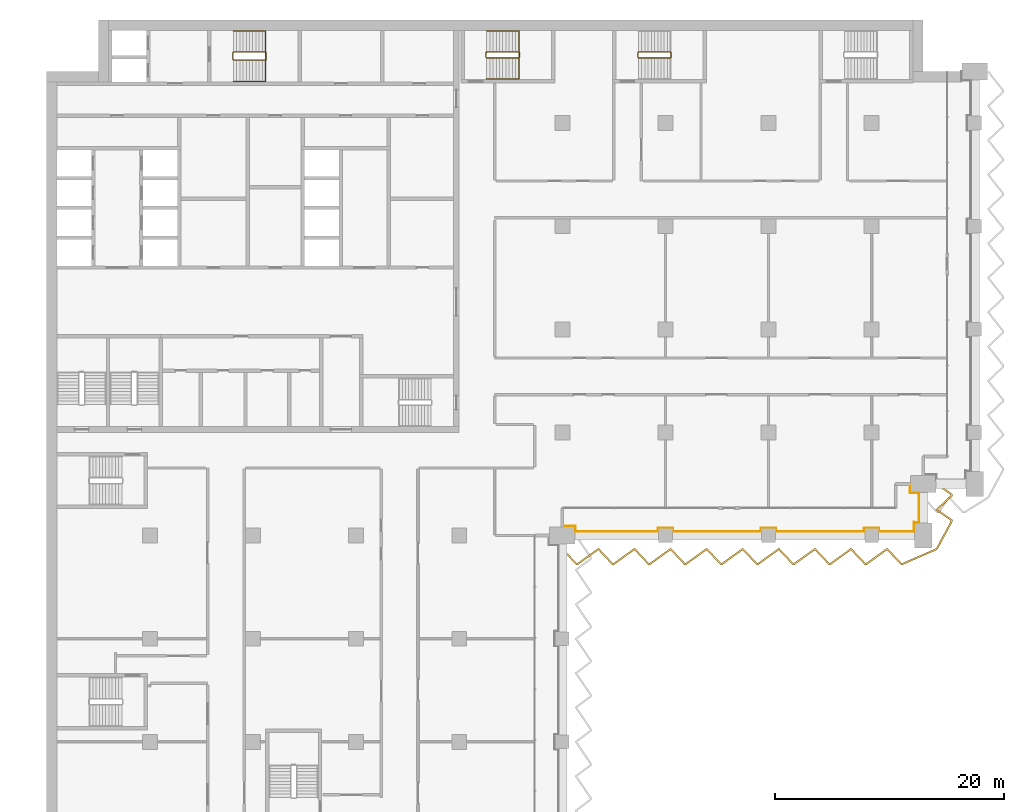
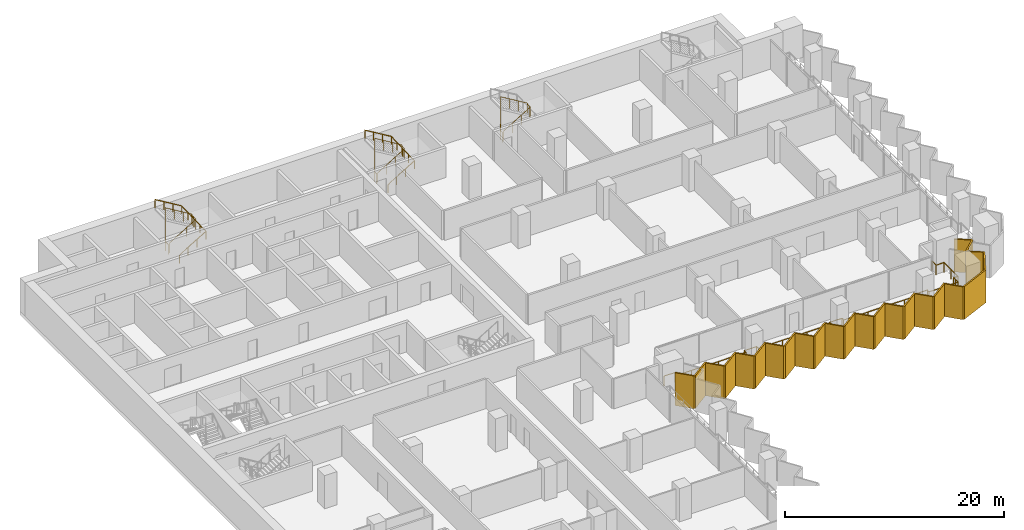
# One storey, part 21 of 22: 6 railings, 1 shading device.
"""IFC4 building model written with IfcOpenShell, lengths in metres."""

from ifc_helpers import new_model, si_unit, direction, frame, origin, origin_2d, place, context, subcontext, project, spatial, polyline, circle, outline, extrude, material, layer, layer_set, type_object, element, save


model = new_model("IFC4")

# Units and contexts
model_context = context("Model", 3, precision=1e-05, world=origin(), true_north=direction((0.0, 1.0)))
body_context = subcontext(model_context, "Body", "Model", "MODEL_VIEW")
ifc_project = project(units=[si_unit("LENGTHUNIT", "METRE"), si_unit("AREAUNIT", "SQUARE_METRE"), si_unit("VOLUMEUNIT", "CUBIC_METRE"), si_unit("PLANEANGLEUNIT", "RADIAN"), si_unit("MASSUNIT", "GRAM", prefix="KILO")], contexts=[model_context])

# Site, building, storey
site_placement = place(None, origin())
site = spatial("IfcSite", under=ifc_project, at=site_placement, CompositionType="ELEMENT")
building_placement = place(site_placement, origin())
building = spatial("IfcBuilding", under=site, at=building_placement, Name="Hunhe Ridgeline Campus", CompositionType="ELEMENT")
storey_placement = place(building_placement, frame((0.0, 0.0, 118.10009765625)))
storey = spatial("IfcBuildingStorey", under=building, at=storey_placement, Name="L29", CompositionType="ELEMENT", Elevation=118.10009765625)

# Railing
ifc_material_1 = material(Name="Steel Q355", Category="steel")
railing_type_1 = type_object("IfcRailingType", Name="Loggia guard 1100 Steel Q355", PredefinedType="GUARDRAIL", material=ifc_material_1)
railing_1_placement = place(storey_placement, frame((45.0, 54.820068359375, 0.0)))
element("IfcRailing", 1, at=railing_1_placement, inside=storey, type_object=railing_type_1, Name="Loggia guard 2", PredefinedType="GUARDRAIL", context=body_context, shape_type="SweptSolid", body=[
    extrude(circle(Radius=0.02392578125, at=origin_2d()), frame((0.0, 0.0, 1.076171875), z_axis=(1.0, 0.0, 0.0), x_axis=(0.0, 1.0, 0.0)), (0.0, 0.0, 1.0), 1.14990234375),
    extrude(circle(Radius=0.02392578125, at=origin_2d()), frame((1.14990234375, 0.0, 1.076171875), z_axis=(0.0, -1.0, 0.0), x_axis=(1.0, 0.0, 0.0)), (0.0, 0.0, 1.0), 0.469970703125),
    extrude(circle(Radius=0.02392578125, at=origin_2d()), frame((1.14990234375, -0.469970703125, 1.076171875), z_axis=(1.0, 0.0, 0.0), x_axis=(0.0, 1.0, 0.0)), (0.0, 0.0, 1.0), 7.2001953125),
    extrude(circle(Radius=0.02392578125, at=origin_2d()), frame((8.35009765625, -0.469970703125, 1.076171875), z_axis=(0.0, 1.0, 0.0), x_axis=(-1.0, 0.0, 0.0)), (0.0, 0.0, 1.0), 0.31982421875),
    extrude(circle(Radius=0.02392578125, at=origin_2d()), frame((8.35009765625, -0.150146484375, 1.076171875), z_axis=(1.0, 0.0, 0.0), x_axis=(0.0, 1.0, 0.0)), (0.0, 0.0, 1.0), 1.2998046875),
    extrude(circle(Radius=0.02392578125, at=origin_2d()), frame((9.64990234375, -0.150146484375, 1.076171875), z_axis=(0.0, -1.0, 0.0), x_axis=(1.0, 0.0, 0.0)), (0.0, 0.0, 1.0), 0.31982421875),
    extrude(circle(Radius=0.02392578125, at=origin_2d()), frame((9.64990234375, -0.469970703125, 1.076171875), z_axis=(1.0, 0.0, 0.0), x_axis=(0.0, 1.0, 0.0)), (0.0, 0.0, 1.0), 7.7001953125),
    extrude(circle(Radius=0.02392578125, at=origin_2d()), frame((17.35009765625, -0.469970703125, 1.076171875), z_axis=(0.0, 1.0, 0.0), x_axis=(-1.0, 0.0, 0.0)), (0.0, 0.0, 1.0), 0.31982421875),
    extrude(circle(Radius=0.02392578125, at=origin_2d()), frame((17.35009765625, -0.150146484375, 1.076171875), z_axis=(1.0, 0.0, 0.0), x_axis=(0.0, 1.0, 0.0)), (0.0, 0.0, 1.0), 1.2998046875),
    extrude(circle(Radius=0.02392578125, at=origin_2d()), frame((18.64990234375, -0.150146484375, 1.076171875), z_axis=(0.0, -1.0, 0.0), x_axis=(1.0, 0.0, 0.0)), (0.0, 0.0, 1.0), 0.31982421875),
    extrude(circle(Radius=0.02392578125, at=origin_2d()), frame((18.64990234375, -0.469970703125, 1.076171875), z_axis=(1.0, 0.0, 0.0), x_axis=(0.0, 1.0, 0.0)), (0.0, 0.0, 1.0), 7.7001953125),
    extrude(circle(Radius=0.02392578125, at=origin_2d()), frame((26.35009765625, -0.469970703125, 1.076171875), z_axis=(0.0, 1.0, 0.0), x_axis=(-1.0, 0.0, 0.0)), (0.0, 0.0, 1.0), 0.31982421875),
    extrude(circle(Radius=0.02392578125, at=origin_2d()), frame((26.35009765625, -0.150146484375, 1.076171875), z_axis=(1.0, 0.0, 0.0), x_axis=(0.0, 1.0, 0.0)), (0.0, 0.0, 1.0), 1.2998046875),
    extrude(circle(Radius=0.02392578125, at=origin_2d()), frame((27.64990234375, -0.150146484375, 1.076171875), z_axis=(0.0, -1.0, 0.0), x_axis=(1.0, 0.0, 0.0)), (0.0, 0.0, 1.0), 0.31982421875),
    extrude(circle(Radius=0.02392578125, at=origin_2d()), frame((27.64990234375, -0.469970703125, 1.076171875), z_axis=(1.0, 0.0, 0.0), x_axis=(0.0, 1.0, 0.0)), (0.0, 0.0, 1.0), 3.050048828125),
    extrude(circle(Radius=0.02392578125, at=origin_2d()), frame((30.699951171875, -0.469970703125, 1.076171875), z_axis=(0.0, 1.0, 0.0), x_axis=(-1.0, 0.0, 0.0)), (0.0, 0.0, 1.0), 0.81982421875),
    extrude(circle(Radius=0.02392578125, at=origin_2d()), frame((30.699951171875, 0.349853515625, 1.076171875), z_axis=(-0.057129153726, -0.99836679622, 0.0), x_axis=(0.99836679622, -0.057129153726, 0.0)), (0.0, 0.0, 1.0), 0.350341796875),
    extrude(circle(Radius=0.02392578125, at=origin_2d()), frame((30.679931640625, 0.0, 1.076171875), z_axis=(0.0, 1.0, 0.0), x_axis=(-1.0, 0.0, 0.0)), (0.0, 0.0, 1.0), 0.329833984375),
    extrude(circle(Radius=0.02392578125, at=origin_2d()), frame((30.679931640625, 0.329833984375, 1.076171875), z_axis=(1.0, 0.0, 0.0), x_axis=(0.0, 1.0, 0.0)), (0.0, 0.0, 1.0), 0.469970703125),
    extrude(circle(Radius=0.02392578125, at=origin_2d()), frame((31.14990234375, 0.329833984375, 1.076171875), z_axis=(0.0, 1.0, 0.0), x_axis=(-1.0, 0.0, 0.0)), (0.0, 0.0, 1.0), 2.550048828125),
    extrude(circle(Radius=0.02392578125, at=origin_2d()), frame((31.14990234375, 2.8798828125, 1.076171875), z_axis=(-1.0, 0.0, 0.0), x_axis=(0.0, -1.0, 0.0)), (0.0, 0.0, 1.0), 0.81982421875),
    extrude(circle(Radius=0.02392578125, at=origin_2d()), frame((30.330078125, 2.8798828125, 1.076171875), z_axis=(0.0, 1.0, 0.0), x_axis=(-1.0, 0.0, 0.0)), (0.0, 0.0, 1.0), 0.800048828125),
    extrude(circle(Radius=0.02099609375, at=origin_2d()), origin(), (0.0, 0.0, 1.0), 1.052001953125),
    extrude(circle(Radius=0.02099609375, at=origin_2d()), frame((1.14990234375, 0.0, 0.0)), (0.0, 0.0, 1.0), 1.052001953125),
    extrude(circle(Radius=0.02099609375, at=origin_2d()), frame((1.14990234375, -0.469970703125, 0.0)), (0.0, 0.0, 1.0), 1.052001953125),
    extrude(circle(Radius=0.02099609375, at=origin_2d()), frame((2.58984375, -0.469970703125, 0.0)), (0.0, 0.0, 1.0), 1.052001953125),
    extrude(circle(Radius=0.02099609375, at=origin_2d()), frame((4.030029296875, -0.469970703125, 0.0)), (0.0, 0.0, 1.0), 1.052001953125),
    extrude(circle(Radius=0.02099609375, at=origin_2d()), frame((5.469970703125, -0.469970703125, 0.0)), (0.0, 0.0, 1.0), 1.052001953125),
    extrude(circle(Radius=0.02099609375, at=origin_2d()), frame((6.91015625, -0.469970703125, 0.0)), (0.0, 0.0, 1.0), 1.052001953125),
    extrude(circle(Radius=0.02099609375, at=origin_2d()), frame((8.35009765625, -0.469970703125, 0.0)), (0.0, 0.0, 1.0), 1.052001953125),
    extrude(circle(Radius=0.02099609375, at=origin_2d()), frame((8.35009765625, -0.150146484375, 0.0)), (0.0, 0.0, 1.0), 1.052001953125),
    extrude(circle(Radius=0.02099609375, at=origin_2d()), frame((9.64990234375, -0.150146484375, 0.0)), (0.0, 0.0, 1.0), 1.052001953125),
    extrude(circle(Radius=0.02099609375, at=origin_2d()), frame((9.64990234375, -0.469970703125, 0.0)), (0.0, 0.0, 1.0), 1.052001953125),
    extrude(circle(Radius=0.02099609375, at=origin_2d()), frame((10.933349609375, -0.469970703125, 0.0)), (0.0, 0.0, 1.0), 1.052001953125),
    extrude(circle(Radius=0.02099609375, at=origin_2d()), frame((12.216552734375, -0.469970703125, 0.0)), (0.0, 0.0, 1.0), 1.052001953125),
    extrude(circle(Radius=0.02099609375, at=origin_2d()), frame((13.5, -0.469970703125, 0.0)), (0.0, 0.0, 1.0), 1.052001953125),
    extrude(circle(Radius=0.02099609375, at=origin_2d()), frame((14.783447265625, -0.469970703125, 0.0)), (0.0, 0.0, 1.0), 1.052001953125),
    extrude(circle(Radius=0.02099609375, at=origin_2d()), frame((16.066650390625, -0.469970703125, 0.0)), (0.0, 0.0, 1.0), 1.052001953125),
    extrude(circle(Radius=0.02099609375, at=origin_2d()), frame((17.35009765625, -0.469970703125, 0.0)), (0.0, 0.0, 1.0), 1.052001953125),
    extrude(circle(Radius=0.02099609375, at=origin_2d()), frame((17.35009765625, -0.150146484375, 0.0)), (0.0, 0.0, 1.0), 1.052001953125),
    extrude(circle(Radius=0.02099609375, at=origin_2d()), frame((18.64990234375, -0.150146484375, 0.0)), (0.0, 0.0, 1.0), 1.052001953125),
    extrude(circle(Radius=0.02099609375, at=origin_2d()), frame((18.64990234375, -0.469970703125, 0.0)), (0.0, 0.0, 1.0), 1.052001953125),
    extrude(circle(Radius=0.02099609375, at=origin_2d()), frame((19.933349609375, -0.469970703125, 0.0)), (0.0, 0.0, 1.0), 1.052001953125),
    extrude(circle(Radius=0.02099609375, at=origin_2d()), frame((21.216552734375, -0.469970703125, 0.0)), (0.0, 0.0, 1.0), 1.052001953125),
    extrude(circle(Radius=0.02099609375, at=origin_2d()), frame((22.5, -0.469970703125, 0.0)), (0.0, 0.0, 1.0), 1.052001953125),
    extrude(circle(Radius=0.02099609375, at=origin_2d()), frame((23.783447265625, -0.469970703125, 0.0)), (0.0, 0.0, 1.0), 1.052001953125),
    extrude(circle(Radius=0.02099609375, at=origin_2d()), frame((25.066650390625, -0.469970703125, 0.0)), (0.0, 0.0, 1.0), 1.052001953125),
    extrude(circle(Radius=0.02099609375, at=origin_2d()), frame((26.35009765625, -0.469970703125, 0.0)), (0.0, 0.0, 1.0), 1.052001953125),
    extrude(circle(Radius=0.02099609375, at=origin_2d()), frame((26.35009765625, -0.150146484375, 0.0)), (0.0, 0.0, 1.0), 1.052001953125),
    extrude(circle(Radius=0.02099609375, at=origin_2d()), frame((27.64990234375, -0.150146484375, 0.0)), (0.0, 0.0, 1.0), 1.052001953125),
    extrude(circle(Radius=0.02099609375, at=origin_2d()), frame((27.64990234375, -0.469970703125, 0.0)), (0.0, 0.0, 1.0), 1.052001953125),
    extrude(circle(Radius=0.02099609375, at=origin_2d()), frame((28.66650390625, -0.469970703125, 0.0)), (0.0, 0.0, 1.0), 1.052001953125),
    extrude(circle(Radius=0.02099609375, at=origin_2d()), frame((29.683349609375, -0.469970703125, 0.0)), (0.0, 0.0, 1.0), 1.052001953125),
    extrude(circle(Radius=0.02099609375, at=origin_2d()), frame((30.699951171875, -0.469970703125, 0.0)), (0.0, 0.0, 1.0), 1.052001953125),
    extrude(circle(Radius=0.02099609375, at=origin_2d()), frame((30.699951171875, 0.349853515625, 0.0)), (0.0, 0.0, 1.0), 1.052001953125),
    extrude(circle(Radius=0.02099609375, at=origin_2d()), frame((30.679931640625, 0.0, 0.0)), (0.0, 0.0, 1.0), 1.052001953125),
    extrude(circle(Radius=0.02099609375, at=origin_2d()), frame((30.679931640625, 0.329833984375, 0.0)), (0.0, 0.0, 1.0), 1.052001953125),
    extrude(circle(Radius=0.02099609375, at=origin_2d()), frame((31.14990234375, 0.329833984375, 0.0)), (0.0, 0.0, 1.0), 1.052001953125),
    extrude(circle(Radius=0.02099609375, at=origin_2d()), frame((31.14990234375, 1.60498046875, 0.0)), (0.0, 0.0, 1.0), 1.052001953125),
    extrude(circle(Radius=0.02099609375, at=origin_2d()), frame((31.14990234375, 2.8798828125, 0.0)), (0.0, 0.0, 1.0), 1.052001953125),
    extrude(circle(Radius=0.02099609375, at=origin_2d()), frame((30.330078125, 2.8798828125, 0.0)), (0.0, 0.0, 1.0), 1.052001953125),
    extrude(circle(Radius=0.02099609375, at=origin_2d()), frame((30.330078125, 3.679931640625, 0.0)), (0.0, 0.0, 1.0), 1.052001953125),
])

# Shading device
ifc_material_2 = material(Name="Concrete C50", Category="concrete")
ifc_layer = layer(ifc_material_2, 0.14990234375)
ifc_layer_set = layer_set([ifc_layer], Name="Sawtooth concrete fin 150 Concrete C50")
shading_device_type = type_object("IfcShadingDeviceType", Name="Sawtooth concrete fin 150 Concrete C50", PredefinedType="USERDEFINED", material=ifc_layer_set)
shading_device_placement = place(storey_placement, frame((0.0, 0.0, -0.9501953125)))
element("IfcShadingDevice", 2, at=shading_device_placement, inside=storey, type_object=shading_device_type, Name="Concrete fin screen 2", ObjectType="FIN", PredefinedType="USERDEFINED", context=body_context, shape_type="SweptSolid", body=[
    extrude(outline(polyline([(45.054443359375, 52.87646484375), (44.945556640625, 52.7734375), (46.19384765625, 51.449951171875), (46.370361328125, 51.449951171875), (48.140625, 52.725830078125), (49.34375, 51.449951171875), (49.520263671875, 51.449951171875), (51.29052734375, 52.725830078125), (52.49365234375, 51.449951171875), (52.67041015625, 51.449951171875), (54.4404296875, 52.725830078125), (55.643798828125, 51.449951171875), (55.8203125, 51.449951171875), (57.590576171875, 52.725830078125), (58.793701171875, 51.449951171875), (58.970458984375, 51.449951171875), (60.740478515625, 52.725830078125), (61.94384765625, 51.449951171875), (62.120361328125, 51.449951171875), (63.890625, 52.725830078125), (65.09375, 51.449951171875), (65.270263671875, 51.449951171875), (67.04052734375, 52.725830078125), (68.24365234375, 51.449951171875), (68.42041015625, 51.449951171875), (70.1904296875, 52.725830078125), (71.393798828125, 51.449951171875), (71.5703125, 51.449951171875), (73.340576171875, 52.725830078125), (74.543701171875, 51.449951171875), (74.711669921875, 51.449951171875), (77.728759765625, 52.7666015625), (79.050048828125, 55.20703125), (79.050048828125, 55.38525390625), (77.793701171875, 56.2587890625), (79.050048828125, 57.44384765625), (79.050048828125, 57.63525390625), (77.7177734375, 58.5615234375), (77.632080078125, 58.4384765625), (78.89990234375, 57.556884765625), (78.89990234375, 57.508544921875), (77.556396484375, 56.2412109375), (78.89990234375, 55.306884765625), (78.89990234375, 55.2451171875), (77.621337890625, 52.88330078125), (74.680419921875, 51.60009765625), (74.6083984375, 51.60009765625), (73.359375, 52.92431640625), (71.52197265625, 51.60009765625), (71.45849609375, 51.60009765625), (70.20947265625, 52.92431640625), (68.371826171875, 51.60009765625), (68.30859375, 51.60009765625), (67.0595703125, 52.92431640625), (65.221923828125, 51.60009765625), (65.158447265625, 51.60009765625), (63.909423828125, 52.92431640625), (62.072021484375, 51.60009765625), (62.008544921875, 51.60009765625), (60.759521484375, 52.92431640625), (58.921875, 51.60009765625), (58.8583984375, 51.60009765625), (57.609375, 52.92431640625), (55.77197265625, 51.60009765625), (55.70849609375, 51.60009765625), (54.45947265625, 52.92431640625), (52.621826171875, 51.60009765625), (52.55859375, 51.60009765625), (51.3095703125, 52.92431640625), (49.471923828125, 51.60009765625), (49.408447265625, 51.60009765625), (48.159423828125, 52.92431640625), (46.322021484375, 51.60009765625), (46.258544921875, 51.60009765625), (45.054443359375, 52.87646484375)])), origin(), (0.0, 0.0, 1.0), 3.650146484375),
])

# Railings
ifc_material_3 = material(Name="Stainless steel balustrade", Category="steel")
railing_type_2 = type_object("IfcRailingType", Name="Stair guard 1100 stainless", PredefinedType="GUARDRAIL", material=ifc_material_3)
railing_2_placement = place(storey_placement, frame((16.300048828125, 95.5, 0.16796875)))
element("IfcRailing", 3, at=railing_2_placement, inside=storey, type_object=railing_type_2, Name="L29 stair S1 guard", PredefinedType="GUARDRAIL", context=body_context, shape_type="SweptSolid", body=[
    extrude(circle(Radius=0.02392578125, at=origin_2d()), frame((0.0, 0.0, 1.076171875), z_axis=(0.857242210791, 0.0, 0.514913383045), x_axis=(0.0, 1.0, 0.0)), (0.0, 0.0, 1.0), 3.266357421875),
    extrude(circle(Radius=0.02392578125, at=origin_2d()), frame((2.800048828125, 0.0, 2.7578125), z_axis=(0.705375805398, 0.708833529934, 0.0), x_axis=(-0.708833529934, 0.705375805398, 0.0)), (0.0, 0.0, 1.0), 0.070556640625),
    extrude(circle(Radius=0.02392578125, at=origin_2d()), frame((2.849853515625, 0.050048828125, 2.7578125), z_axis=(0.0, 1.0, 0.0), x_axis=(-1.0, 0.0, 0.0)), (0.0, 0.0, 1.0), 0.599853515625),
    extrude(circle(Radius=0.02392578125, at=origin_2d()), frame((2.849853515625, 0.64990234375, 2.7578125), z_axis=(-0.273006030465, 0.27434429532, 0.922064485248), x_axis=(-0.708833529934, -0.705375805398, 0.0)), (0.0, 0.0, 1.0), 0.182373046875),
    extrude(circle(Radius=0.02392578125, at=origin_2d()), frame((2.800048828125, 0.699951171875, 2.92626953125), z_axis=(-0.857242210791, 0.0, 0.514913383045), x_axis=(0.0, -1.0, 0.0)), (0.0, 0.0, 1.0), 3.266357421875),
    extrude(circle(Radius=0.02392578125, at=origin_2d()), frame((0.0, 0.699951171875, 4.60791015625), z_axis=(-0.013524414389, -0.013524414389, -0.999817073484), x_axis=(0.707106781187, -0.707106781187, 0.0)), (0.0, 0.0, 1.0), 3.70068359375),
    extrude(circle(Radius=0.02392578125, at=origin_2d()), frame((-0.050048828125, 0.64990234375, 0.908203125), z_axis=(0.0, -1.0, 0.0), x_axis=(1.0, 0.0, 0.0)), (0.0, 0.0, 1.0), 0.599853515625),
    extrude(circle(Radius=0.02099609375, at=origin_2d()), origin(), (0.0, 0.0, 1.0), 1.052001953125),
    extrude(circle(Radius=0.02099609375, at=origin_2d()), frame((0.933349609375, 0.0, 0.560546875)), (0.0, 0.0, 1.0), 1.052001953125),
    extrude(circle(Radius=0.02099609375, at=origin_2d()), frame((1.86669921875, 0.0, 1.121337890625)), (0.0, 0.0, 1.0), 1.052001953125),
    extrude(circle(Radius=0.02099609375, at=origin_2d()), frame((2.800048828125, 0.0, 1.681884765625)), (0.0, 0.0, 1.0), 1.052001953125),
    extrude(circle(Radius=0.02099609375, at=origin_2d()), frame((2.849853515625, 0.050048828125, 1.681884765625)), (0.0, 0.0, 1.0), 1.052001953125),
    extrude(circle(Radius=0.02099609375, at=origin_2d()), frame((2.849853515625, 0.64990234375, 1.681884765625)), (0.0, 0.0, 1.0), 1.052001953125),
    extrude(circle(Radius=0.02099609375, at=origin_2d()), frame((2.800048828125, 0.699951171875, 1.85009765625)), (0.0, 0.0, 1.0), 1.052001953125),
    extrude(circle(Radius=0.02099609375, at=origin_2d()), frame((1.86669921875, 0.699951171875, 2.41064453125)), (0.0, 0.0, 1.0), 1.052001953125),
    extrude(circle(Radius=0.02099609375, at=origin_2d()), frame((0.933349609375, 0.699951171875, 2.971435546875)), (0.0, 0.0, 1.0), 1.052001953125),
    extrude(circle(Radius=0.02099609375, at=origin_2d()), frame((0.0, 0.699951171875, 3.531982421875)), (0.0, 0.0, 1.0), 1.052001953125),
    extrude(circle(Radius=0.02099609375, at=origin_2d()), frame((-0.012451171875, 0.6875, 2.60693359375)), (0.0, 0.0, 1.0), 1.052001953125),
    extrude(circle(Radius=0.02099609375, at=origin_2d()), frame((-0.02490234375, 0.6748046875, 1.68212890625)), (0.0, 0.0, 1.0), 1.052001953125),
    extrude(circle(Radius=0.02099609375, at=origin_2d()), frame((-0.03759765625, 0.662353515625, 0.757080078125)), (0.0, 0.0, 1.0), 1.052001953125),
    extrude(circle(Radius=0.02099609375, at=origin_2d()), frame((-0.050048828125, 0.64990234375, -0.16796875)), (0.0, 0.0, 1.0), 1.052001953125),
    extrude(circle(Radius=0.02099609375, at=origin_2d()), frame((-0.050048828125, 0.050048828125, -0.16796875)), (0.0, 0.0, 1.0), 1.052001953125),
])
railing_3_placement = place(storey_placement, frame((38.39990234375, 95.699951171875, 0.16796875)))
element("IfcRailing", 4, at=railing_3_placement, inside=storey, type_object=railing_type_2, Name="L29 stair E1 guard", PredefinedType="GUARDRAIL", context=body_context, shape_type="SweptSolid", body=[
    extrude(circle(Radius=0.02392578125, at=origin_2d()), frame((0.0, 0.0, 1.076171875), z_axis=(0.857242210791, 0.0, 0.514913383045), x_axis=(0.0, 1.0, 0.0)), (0.0, 0.0, 1.0), 3.266357421875),
    extrude(circle(Radius=0.02392578125, at=origin_2d()), frame((2.800048828125, 0.0, 2.7578125), z_axis=(0.707106781187, 0.707106781187, 0.0), x_axis=(-0.707106781187, 0.707106781187, 0.0)), (0.0, 0.0, 1.0), 0.07080078125),
    extrude(circle(Radius=0.02392578125, at=origin_2d()), frame((2.85009765625, 0.050048828125, 2.7578125), z_axis=(0.0, 1.0, 0.0), x_axis=(-1.0, 0.0, 0.0)), (0.0, 0.0, 1.0), 0.39990234375),
    extrude(circle(Radius=0.02392578125, at=origin_2d()), frame((2.85009765625, 0.449951171875, 2.7578125), z_axis=(-0.274243871929, 0.274243871929, 0.92172696468), x_axis=(-0.707106781187, -0.707106781187, 0.0)), (0.0, 0.0, 1.0), 0.1826171875),
    extrude(circle(Radius=0.02392578125, at=origin_2d()), frame((2.800048828125, 0.5, 2.92626953125), z_axis=(-0.857242210791, 0.0, 0.514913383045), x_axis=(0.0, -1.0, 0.0)), (0.0, 0.0, 1.0), 3.266357421875),
    extrude(circle(Radius=0.02392578125, at=origin_2d()), frame((0.0, 0.5, 4.60791015625), z_axis=(-0.013458453615, -0.013524426427, -0.999817963389), x_axis=(0.708833529934, -0.705375805398, 0.0)), (0.0, 0.0, 1.0), 3.70068359375),
    extrude(circle(Radius=0.02392578125, at=origin_2d()), frame((-0.0498046875, 0.449951171875, 0.908203125), z_axis=(0.0, -1.0, 0.0), x_axis=(1.0, 0.0, 0.0)), (0.0, 0.0, 1.0), 0.39990234375),
    extrude(circle(Radius=0.02099609375, at=origin_2d()), origin(), (0.0, 0.0, 1.0), 1.052001953125),
    extrude(circle(Radius=0.02099609375, at=origin_2d()), frame((0.933349609375, 0.0, 0.560546875)), (0.0, 0.0, 1.0), 1.052001953125),
    extrude(circle(Radius=0.02099609375, at=origin_2d()), frame((1.86669921875, 0.0, 1.121337890625)), (0.0, 0.0, 1.0), 1.052001953125),
    extrude(circle(Radius=0.02099609375, at=origin_2d()), frame((2.800048828125, 0.0, 1.681884765625)), (0.0, 0.0, 1.0), 1.052001953125),
    extrude(circle(Radius=0.02099609375, at=origin_2d()), frame((2.85009765625, 0.050048828125, 1.681884765625)), (0.0, 0.0, 1.0), 1.052001953125),
    extrude(circle(Radius=0.02099609375, at=origin_2d()), frame((2.85009765625, 0.449951171875, 1.681884765625)), (0.0, 0.0, 1.0), 1.052001953125),
    extrude(circle(Radius=0.02099609375, at=origin_2d()), frame((2.800048828125, 0.5, 1.85009765625)), (0.0, 0.0, 1.0), 1.052001953125),
    extrude(circle(Radius=0.02099609375, at=origin_2d()), frame((1.86669921875, 0.5, 2.41064453125)), (0.0, 0.0, 1.0), 1.052001953125),
    extrude(circle(Radius=0.02099609375, at=origin_2d()), frame((0.933349609375, 0.5, 2.971435546875)), (0.0, 0.0, 1.0), 1.052001953125),
    extrude(circle(Radius=0.02099609375, at=origin_2d()), frame((0.0, 0.5, 3.531982421875)), (0.0, 0.0, 1.0), 1.052001953125),
    extrude(circle(Radius=0.02099609375, at=origin_2d()), frame((-0.012451171875, 0.487548828125, 2.60693359375)), (0.0, 0.0, 1.0), 1.052001953125),
    extrude(circle(Radius=0.02099609375, at=origin_2d()), frame((-0.02490234375, 0.47509765625, 1.68212890625)), (0.0, 0.0, 1.0), 1.052001953125),
    extrude(circle(Radius=0.02099609375, at=origin_2d()), frame((-0.037353515625, 0.46240234375, 0.757080078125)), (0.0, 0.0, 1.0), 1.052001953125),
    extrude(circle(Radius=0.02099609375, at=origin_2d()), frame((-0.0498046875, 0.449951171875, -0.16796875)), (0.0, 0.0, 1.0), 1.052001953125),
    extrude(circle(Radius=0.02099609375, at=origin_2d()), frame((-0.0498046875, 0.050048828125, -0.16796875)), (0.0, 0.0, 1.0), 1.052001953125),
])
railing_4_placement = place(storey_placement, frame((51.64990234375, 95.699951171875, 0.16796875)))
element("IfcRailing", 5, at=railing_4_placement, inside=storey, type_object=railing_type_2, Name="L29 stair E2 guard", PredefinedType="GUARDRAIL", context=body_context, shape_type="SweptSolid", body=[
    extrude(circle(Radius=0.02392578125, at=origin_2d()), frame((0.0, 0.0, 1.076171875), z_axis=(0.857242210791, 0.0, 0.514913383045), x_axis=(0.0, 1.0, 0.0)), (0.0, 0.0, 1.0), 3.266357421875),
    extrude(circle(Radius=0.02392578125, at=origin_2d()), frame((2.800048828125, 0.0, 2.7578125), z_axis=(0.707106781187, 0.707106781187, 0.0), x_axis=(-0.707106781187, 0.707106781187, 0.0)), (0.0, 0.0, 1.0), 0.07080078125),
    extrude(circle(Radius=0.02392578125, at=origin_2d()), frame((2.85009765625, 0.050048828125, 2.7578125), z_axis=(0.0, 1.0, 0.0), x_axis=(-1.0, 0.0, 0.0)), (0.0, 0.0, 1.0), 0.39990234375),
    extrude(circle(Radius=0.02392578125, at=origin_2d()), frame((2.85009765625, 0.449951171875, 2.7578125), z_axis=(-0.274243871929, 0.274243871929, 0.92172696468), x_axis=(-0.707106781187, -0.707106781187, 0.0)), (0.0, 0.0, 1.0), 0.1826171875),
    extrude(circle(Radius=0.02392578125, at=origin_2d()), frame((2.800048828125, 0.5, 2.92626953125), z_axis=(-0.857242210791, 0.0, 0.514913383045), x_axis=(0.0, -1.0, 0.0)), (0.0, 0.0, 1.0), 3.266357421875),
    extrude(circle(Radius=0.02392578125, at=origin_2d()), frame((0.0, 0.5, 4.60791015625), z_axis=(-0.013458453615, -0.013524426427, -0.999817963389), x_axis=(0.708833529934, -0.705375805398, 0.0)), (0.0, 0.0, 1.0), 3.70068359375),
    extrude(circle(Radius=0.02392578125, at=origin_2d()), frame((-0.0498046875, 0.449951171875, 0.908203125), z_axis=(0.0, -1.0, 0.0), x_axis=(1.0, 0.0, 0.0)), (0.0, 0.0, 1.0), 0.39990234375),
    extrude(circle(Radius=0.02099609375, at=origin_2d()), origin(), (0.0, 0.0, 1.0), 1.052001953125),
    extrude(circle(Radius=0.02099609375, at=origin_2d()), frame((0.933349609375, 0.0, 0.560546875)), (0.0, 0.0, 1.0), 1.052001953125),
    extrude(circle(Radius=0.02099609375, at=origin_2d()), frame((1.86669921875, 0.0, 1.121337890625)), (0.0, 0.0, 1.0), 1.052001953125),
    extrude(circle(Radius=0.02099609375, at=origin_2d()), frame((2.800048828125, 0.0, 1.681884765625)), (0.0, 0.0, 1.0), 1.052001953125),
    extrude(circle(Radius=0.02099609375, at=origin_2d()), frame((2.85009765625, 0.050048828125, 1.681884765625)), (0.0, 0.0, 1.0), 1.052001953125),
    extrude(circle(Radius=0.02099609375, at=origin_2d()), frame((2.85009765625, 0.449951171875, 1.681884765625)), (0.0, 0.0, 1.0), 1.052001953125),
    extrude(circle(Radius=0.02099609375, at=origin_2d()), frame((2.800048828125, 0.5, 1.85009765625)), (0.0, 0.0, 1.0), 1.052001953125),
    extrude(circle(Radius=0.02099609375, at=origin_2d()), frame((1.86669921875, 0.5, 2.41064453125)), (0.0, 0.0, 1.0), 1.052001953125),
    extrude(circle(Radius=0.02099609375, at=origin_2d()), frame((0.933349609375, 0.5, 2.971435546875)), (0.0, 0.0, 1.0), 1.052001953125),
    extrude(circle(Radius=0.02099609375, at=origin_2d()), frame((0.0, 0.5, 3.531982421875)), (0.0, 0.0, 1.0), 1.052001953125),
    extrude(circle(Radius=0.02099609375, at=origin_2d()), frame((-0.012451171875, 0.487548828125, 2.60693359375)), (0.0, 0.0, 1.0), 1.052001953125),
    extrude(circle(Radius=0.02099609375, at=origin_2d()), frame((-0.02490234375, 0.47509765625, 1.68212890625)), (0.0, 0.0, 1.0), 1.052001953125),
    extrude(circle(Radius=0.02099609375, at=origin_2d()), frame((-0.037353515625, 0.46240234375, 0.757080078125)), (0.0, 0.0, 1.0), 1.052001953125),
    extrude(circle(Radius=0.02099609375, at=origin_2d()), frame((-0.0498046875, 0.449951171875, -0.16796875)), (0.0, 0.0, 1.0), 1.052001953125),
    extrude(circle(Radius=0.02099609375, at=origin_2d()), frame((-0.0498046875, 0.050048828125, -0.16796875)), (0.0, 0.0, 1.0), 1.052001953125),
])
ifc_material_4 = material(Name="Stainless steel handrail", Category="steel")
railing_type_3 = type_object("IfcRailingType", Name="Stair handrail 900 stainless", PredefinedType="HANDRAIL", material=ifc_material_4)
railing_5_placement = place(storey_placement, frame((16.300048828125, 93.64990234375, 0.16796875)))
element("IfcRailing", 6, at=railing_5_placement, inside=storey, type_object=railing_type_3, Name="L29 stair S1 handrail", PredefinedType="HANDRAIL", context=body_context, shape_type="SweptSolid", body=[
    extrude(circle(Radius=0.02392578125, at=origin_2d()), frame((0.0, 0.0, 0.8759765625), z_axis=(0.857242210791, 0.0, 0.514913383045), x_axis=(0.0, 1.0, 0.0)), (0.0, 0.0, 1.0), 3.266357421875),
    extrude(circle(Radius=0.02392578125, at=origin_2d()), frame((2.800048828125, 0.0, 2.5576171875), z_axis=(0.0, 0.999270074432, 0.038201025428), x_axis=(-1.0, 0.0, 0.0)), (0.0, 0.0, 1.0), 4.4033203125),
    extrude(circle(Radius=0.02392578125, at=origin_2d()), frame((2.800048828125, 4.400146484375, 2.72607421875), z_axis=(-0.857242210791, 0.0, 0.514913383045), x_axis=(0.0, -1.0, 0.0)), (0.0, 0.0, 1.0), 3.266357421875),
    extrude(circle(Radius=0.02099609375, at=origin_2d()), origin(), (0.0, 0.0, 1.0), 0.851806640625),
    extrude(circle(Radius=0.02099609375, at=origin_2d()), frame((0.933349609375, 0.0, 0.560546875)), (0.0, 0.0, 1.0), 0.851806640625),
    extrude(circle(Radius=0.02099609375, at=origin_2d()), frame((1.86669921875, 0.0, 1.121337890625)), (0.0, 0.0, 1.0), 0.851806640625),
    extrude(circle(Radius=0.02099609375, at=origin_2d()), frame((2.800048828125, 0.0, 1.681884765625)), (0.0, 0.0, 1.0), 0.851806640625),
    extrude(circle(Radius=0.02099609375, at=origin_2d()), frame((2.800048828125, 1.10009765625, 1.723876953125)), (0.0, 0.0, 1.0), 0.851806640625),
    extrude(circle(Radius=0.02099609375, at=origin_2d()), frame((2.800048828125, 2.2001953125, 1.76611328125)), (0.0, 0.0, 1.0), 0.851806640625),
    extrude(circle(Radius=0.02099609375, at=origin_2d()), frame((2.800048828125, 3.300048828125, 1.80810546875)), (0.0, 0.0, 1.0), 0.851806640625),
    extrude(circle(Radius=0.02099609375, at=origin_2d()), frame((2.800048828125, 4.400146484375, 1.85009765625)), (0.0, 0.0, 1.0), 0.851806640625),
    extrude(circle(Radius=0.02099609375, at=origin_2d()), frame((1.86669921875, 4.400146484375, 2.41064453125)), (0.0, 0.0, 1.0), 0.851806640625),
    extrude(circle(Radius=0.02099609375, at=origin_2d()), frame((0.933349609375, 4.400146484375, 2.971435546875)), (0.0, 0.0, 1.0), 0.851806640625),
    extrude(circle(Radius=0.02099609375, at=origin_2d()), frame((0.0, 4.400146484375, 3.531982421875)), (0.0, 0.0, 1.0), 0.851806640625),
])
railing_6_placement = place(storey_placement, frame((38.39990234375, 93.85009765625, 0.16796875)))
element("IfcRailing", 7, at=railing_6_placement, inside=storey, type_object=railing_type_3, Name="L29 stair E1 handrail", PredefinedType="HANDRAIL", context=body_context, shape_type="SweptSolid", body=[
    extrude(circle(Radius=0.02392578125, at=origin_2d()), frame((0.0, 0.0, 0.8759765625), z_axis=(0.857242210791, 0.0, 0.514913383045), x_axis=(0.0, 1.0, 0.0)), (0.0, 0.0, 1.0), 3.266357421875),
    extrude(circle(Radius=0.02392578125, at=origin_2d()), frame((2.800048828125, 0.0, 2.5576171875), z_axis=(0.0, 0.999198916169, 0.040019069537), x_axis=(-1.0, 0.0, 0.0)), (0.0, 0.0, 1.0), 4.203369140625),
    extrude(circle(Radius=0.02392578125, at=origin_2d()), frame((2.800048828125, 4.199951171875, 2.72607421875), z_axis=(-0.857242210791, 0.0, 0.514913383045), x_axis=(0.0, -1.0, 0.0)), (0.0, 0.0, 1.0), 3.266357421875),
    extrude(circle(Radius=0.02099609375, at=origin_2d()), origin(), (0.0, 0.0, 1.0), 0.851806640625),
    extrude(circle(Radius=0.02099609375, at=origin_2d()), frame((0.933349609375, 0.0, 0.560546875)), (0.0, 0.0, 1.0), 0.851806640625),
    extrude(circle(Radius=0.02099609375, at=origin_2d()), frame((1.86669921875, 0.0, 1.121337890625)), (0.0, 0.0, 1.0), 0.851806640625),
    extrude(circle(Radius=0.02099609375, at=origin_2d()), frame((2.800048828125, 0.0, 1.681884765625)), (0.0, 0.0, 1.0), 0.851806640625),
    extrude(circle(Radius=0.02099609375, at=origin_2d()), frame((2.800048828125, 1.050048828125, 1.723876953125)), (0.0, 0.0, 1.0), 0.851806640625),
    extrude(circle(Radius=0.02099609375, at=origin_2d()), frame((2.800048828125, 2.10009765625, 1.76611328125)), (0.0, 0.0, 1.0), 0.851806640625),
    extrude(circle(Radius=0.02099609375, at=origin_2d()), frame((2.800048828125, 3.14990234375, 1.80810546875)), (0.0, 0.0, 1.0), 0.851806640625),
    extrude(circle(Radius=0.02099609375, at=origin_2d()), frame((2.800048828125, 4.199951171875, 1.85009765625)), (0.0, 0.0, 1.0), 0.851806640625),
    extrude(circle(Radius=0.02099609375, at=origin_2d()), frame((1.86669921875, 4.199951171875, 2.41064453125)), (0.0, 0.0, 1.0), 0.851806640625),
    extrude(circle(Radius=0.02099609375, at=origin_2d()), frame((0.933349609375, 4.199951171875, 2.971435546875)), (0.0, 0.0, 1.0), 0.851806640625),
    extrude(circle(Radius=0.02099609375, at=origin_2d()), frame((0.0, 4.199951171875, 3.531982421875)), (0.0, 0.0, 1.0), 0.851806640625),
])

save(model, "model.ifc")
